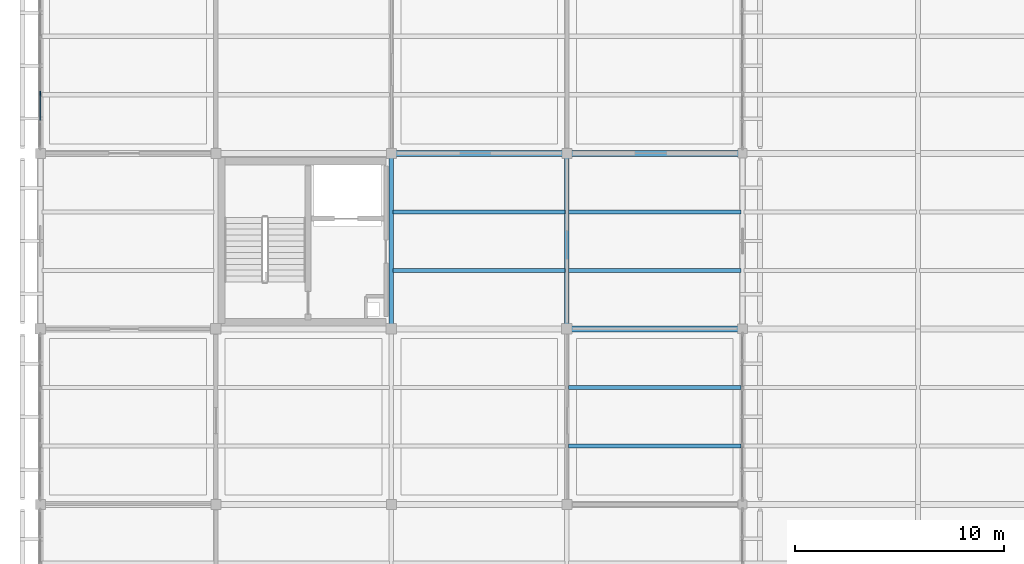
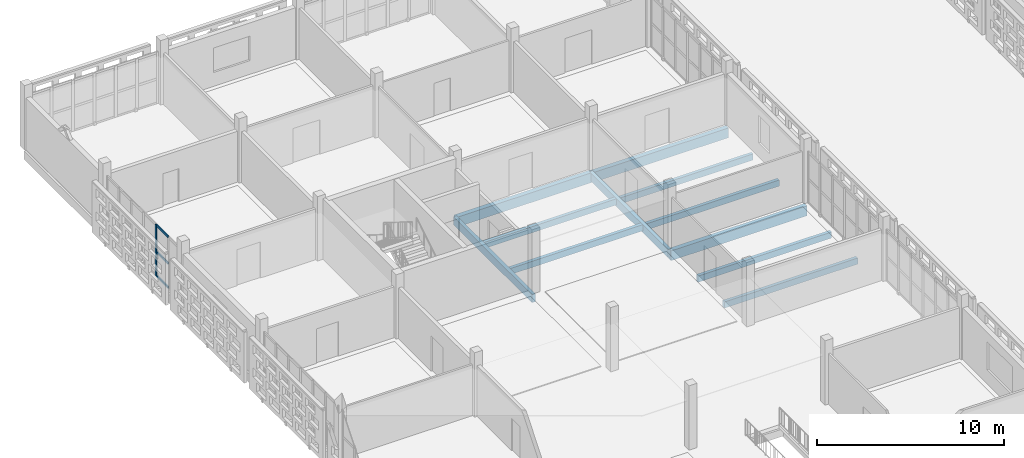
# One storey, part 37 of 166: 11 beams, 4 members, 1 element without a shape of its own.
"""IFC4 building model written with IfcOpenShell, lengths in metres."""

from ifc_helpers import new_model, si_unit, direction, frame, origin, origin_2d, place, context, subcontext, project, spatial, rectangle, extrude, material, layer, layer_set, material_profile, profile_set, type_object, element, aggregate, save


model = new_model("IFC4")

# Units and contexts
model_context = context("Model", 3, precision=1e-05, world=origin(), true_north=direction((0.0, 1.0)))
body_context = subcontext(model_context, "Body", "Model", "MODEL_VIEW")
ifc_project = project(units=[si_unit("LENGTHUNIT", "METRE"), si_unit("AREAUNIT", "SQUARE_METRE"), si_unit("VOLUMEUNIT", "CUBIC_METRE"), si_unit("PLANEANGLEUNIT", "RADIAN"), si_unit("MASSUNIT", "GRAM", prefix="KILO")], contexts=[model_context])

# Site, building, storey
site_placement = place(None, origin())
site = spatial("IfcSite", under=ifc_project, at=site_placement, CompositionType="ELEMENT")
building_placement = place(site_placement, origin())
building = spatial("IfcBuilding", under=site, at=building_placement, Name="Varnapada Polytechnic", CompositionType="ELEMENT")
storey_placement = place(building_placement, frame((0.0, 0.0, 9.60009765625)))
storey = spatial("IfcBuildingStorey", under=building, at=storey_placement, Name="L02", CompositionType="ELEMENT", Elevation=9.60009765625)

# Beams
ifc_material_1 = material(Name="Glulam GL32h", Category="wood")
ifc_material_profile_1 = material_profile(ifc_material_1, rectangle(XDim=0.280029296875, YDim=0.639892578125, at=origin_2d()), Name="GL 280x640")
ifc_profile_set_1 = profile_set([ifc_material_profile_1], Name="Glulam GL32h")
beam_type_1 = type_object("IfcBeamType", Name="Laboratory primary glulam girder GG-02 (GL 280x640)", PredefinedType="BEAM", material=ifc_profile_set_1)
beam_placement = place(storey_placement, frame((16.800048828125, 109.199951171875, -0.56005859375), z_axis=(1.0, 0.0, 0.0), x_axis=(0.0, 1.0, 0.0)))
element("IfcBeam", 1, at=beam_placement, inside=storey, type_object=beam_type_1, Name="L02 beam X 3-4 at Y14", PredefinedType="BEAM", context=body_context, shape_type="SweptSolid", body=[
    extrude(rectangle(XDim=0.280029296875, YDim=0.639892578125, at=origin_2d()), origin(), (0.0, 0.0, 1.0), 8.39990234375),
])
for number, where, z_axis, x_axis, name in (
    (2, (25.199951171875, 100.800048828125, -0.590087890625), (1.0, 0.0, 0.0), (0.0, 1.0, 0.0), "L02 beam X 4-5 at Y13"),
    (3, (25.199951171875, 109.199951171875, -0.590087890625), (1.0, 0.0, 0.0), (0.0, 1.0, 0.0), "L02 beam X 4-5 at Y14"),
):
    element("IfcBeam", number, at=place(storey_placement, frame(where, z_axis=z_axis, x_axis=x_axis)), inside=storey, type_object=beam_type_1, Name=name, PredefinedType="BEAM", context=body_context, shape_type="SweptSolid", body=[
        extrude(rectangle(XDim=0.280029296875, YDim=0.639892578125, at=origin_2d()), origin(), (0.0, 0.0, 1.0), 8.400146484375),
    ])
ifc_material_profile_2 = material_profile(ifc_material_1, rectangle(XDim=0.219970703125, YDim=0.52001953125, at=origin_2d()), Name="GL 220x520")
ifc_profile_set_2 = profile_set([ifc_material_profile_2], Name="Glulam GL32h")
beam_type_2 = type_object("IfcBeamType", Name="Laboratory transverse glulam beam GB-12 (GL 220x520)", PredefinedType="BEAM", material=ifc_profile_set_2)
for number, where, z_axis, x_axis, name in (
    (4, (16.800048828125, 100.800048828125, -0.5), (0.0, 1.0, 0.0), (-1.0, 0.0, 0.0), "L02 beam Y 13-14 at X3"),
    (5, (25.199951171875, 100.800048828125, -0.5), (0.0, 1.0, 0.0), (-1.0, 0.0, 0.0), "L02 beam Y 13-14 at X4"),
):
    element("IfcBeam", number, at=place(storey_placement, frame(where, z_axis=z_axis, x_axis=x_axis)), inside=storey, type_object=beam_type_2, Name=name, PredefinedType="BEAM", context=body_context, shape_type="SweptSolid", body=[
        extrude(rectangle(XDim=0.219970703125, YDim=0.52001953125, at=origin_2d()), origin(), (0.0, 0.0, 1.0), 8.39990234375),
    ])
ifc_material_profile_3 = material_profile(ifc_material_1, rectangle(XDim=0.199951171875, YDim=0.39990234375, at=origin_2d()), Name="GL 200x400")
ifc_profile_set_3 = profile_set([ifc_material_profile_3], Name="Glulam GL32h")
beam_type_3 = type_object("IfcBeamType", Name="Library/laboratory glulam floor joist GJ-01 (GL 200x400)", PredefinedType="JOIST", material=ifc_profile_set_3)
for number, where, z_axis, x_axis, name in (
    (6, (16.8798828125, 103.60009765625, -0.440185546875), (1.0, 0.0, 0.0), (0.0, 1.0, 0.0), "L02 floor joist 3/13.1"),
    (7, (16.8798828125, 106.39990234375, -0.440185546875), (1.0, 0.0, 0.0), (0.0, 1.0, 0.0), "L02 floor joist 3/13.2"),
):
    element("IfcBeam", number, at=place(storey_placement, frame(where, z_axis=z_axis, x_axis=x_axis)), inside=storey, type_object=beam_type_3, Name=name, PredefinedType="JOIST", context=body_context, shape_type="SweptSolid", body=[
        extrude(rectangle(XDim=0.199951171875, YDim=0.39990234375, at=origin_2d()), origin(), (0.0, 0.0, 1.0), 8.240234375),
    ])
for number, where, z_axis, x_axis, name in (
    (8, (25.280029296875, 95.199951171875, -0.47021484375), (1.0, 0.0, 0.0), (0.0, 1.0, 0.0), "L02 floor joist 4/12.1"),
    (9, (25.280029296875, 98.0, -0.47021484375), (1.0, 0.0, 0.0), (0.0, 1.0, 0.0), "L02 floor joist 4/12.2"),
    (10, (25.280029296875, 103.60009765625, -0.47021484375), (1.0, 0.0, 0.0), (0.0, 1.0, 0.0), "L02 floor joist 4/13.1"),
    (11, (25.280029296875, 106.39990234375, -0.47021484375), (1.0, 0.0, 0.0), (0.0, 1.0, 0.0), "L02 floor joist 4/13.2"),
):
    element("IfcBeam", number, at=place(storey_placement, frame(where, z_axis=z_axis, x_axis=x_axis)), inside=storey, type_object=beam_type_3, Name=name, PredefinedType="JOIST", context=body_context, shape_type="SweptSolid", body=[
        extrude(rectangle(XDim=0.199951171875, YDim=0.39990234375, at=origin_2d()), origin(), (0.0, 0.0, 1.0), 8.239990234375),
    ])

# Curtain wall, members
ifc_material_2 = material(Name="Double low-E laminated glass", Category="glass")
ifc_layer = layer(ifc_material_2, 0.179931640625)
ifc_layer_set = layer_set([ifc_layer], Name="Double low-E laminated glass")
curtain_wall_type = type_object("IfcCurtainWallType", Name="Curtain Wall CW-03", PredefinedType="NOTDEFINED", material=ifc_layer_set)
curtain_wall_placement = place(storey_placement, origin())
curtain_wall = element("IfcCurtainWall", 12, at=curtain_wall_placement, inside=storey, type_object=curtain_wall_type, Name="L02 unitised curtain wall CW-03 (134)", PredefinedType="NOTDEFINED")
ifc_material_3 = material(Name="Anodised aluminium", Category="aluminium")
ifc_material_profile_4 = material_profile(ifc_material_3, rectangle(XDim=0.06494140625, YDim=0.179931640625, at=origin_2d()), Name="ALU M65x180")
ifc_profile_set_4 = profile_set([ifc_material_profile_4], Name="Anodised aluminium")
member_type_1 = type_object("IfcMemberType", Name="Mullion M-02", PredefinedType="MULLION", material=ifc_profile_set_4)
member_1_placement = place(storey_placement, frame((0.0, 112.07666015625, 0.0), z_axis=(0.0, 0.0, 1.0), x_axis=(-1.0, 0.0, 0.0)))
member_1 = element("IfcMember", 13, at=member_1_placement, type_object=member_type_1, Name="CW-03 mullion 3", PredefinedType="MULLION", context=body_context, shape_type="SweptSolid", body=[
    extrude(rectangle(XDim=0.06494140625, YDim=0.179931640625, at=origin_2d()), origin(), (0.0, 0.0, 1.0), 3.35986328125),
])
ifc_material_profile_5 = material_profile(ifc_material_3, rectangle(XDim=0.06494140625, YDim=0.139892578125, at=origin_2d()), Name="ALU T65x140")
ifc_profile_set_5 = profile_set([ifc_material_profile_5], Name="Anodised aluminium")
member_type_2 = type_object("IfcMemberType", Name="Transom T-02", PredefinedType="USERDEFINED", material=ifc_profile_set_5)
member_2_placement = place(storey_placement, frame((0.0, 110.790771484375, 0.032470703125), z_axis=(0.0, 1.0, 0.0), x_axis=(-1.0, 0.0, 0.0)))
member_2 = element("IfcMember", 14, at=member_2_placement, type_object=member_type_2, Name="CW-03 transom 2.1", ObjectType="TRANSOM", PredefinedType="USERDEFINED", context=body_context, shape_type="SweptSolid", body=[
    extrude(rectangle(XDim=0.06494140625, YDim=0.139892578125, at=origin_2d()), origin(), (0.0, 0.0, 1.0), 1.25341796875),
])
member_3_placement = place(storey_placement, frame((0.0, 110.790771484375, 1.61279296875), z_axis=(0.0, 1.0, 0.0), x_axis=(-1.0, 0.0, 0.0)))
member_3 = element("IfcMember", 15, at=member_3_placement, type_object=member_type_2, Name="CW-03 transom 2.2", ObjectType="TRANSOM", PredefinedType="USERDEFINED", context=body_context, shape_type="SweptSolid", body=[
    extrude(rectangle(XDim=0.06494140625, YDim=0.139892578125, at=origin_2d()), origin(), (0.0, 0.0, 1.0), 1.25341796875),
])
member_4_placement = place(storey_placement, frame((0.0, 110.790771484375, 3.327392578125), z_axis=(0.0, 1.0, 0.0), x_axis=(-1.0, 0.0, 0.0)))
member_4 = element("IfcMember", 16, at=member_4_placement, type_object=member_type_2, Name="CW-03 transom 2.3", ObjectType="TRANSOM", PredefinedType="USERDEFINED", context=body_context, shape_type="SweptSolid", body=[
    extrude(rectangle(XDim=0.06494140625, YDim=0.139892578125, at=origin_2d()), origin(), (0.0, 0.0, 1.0), 1.25341796875),
])
aggregate(curtain_wall, [member_1, member_2, member_3, member_4])

save(model, "model.ifc")
